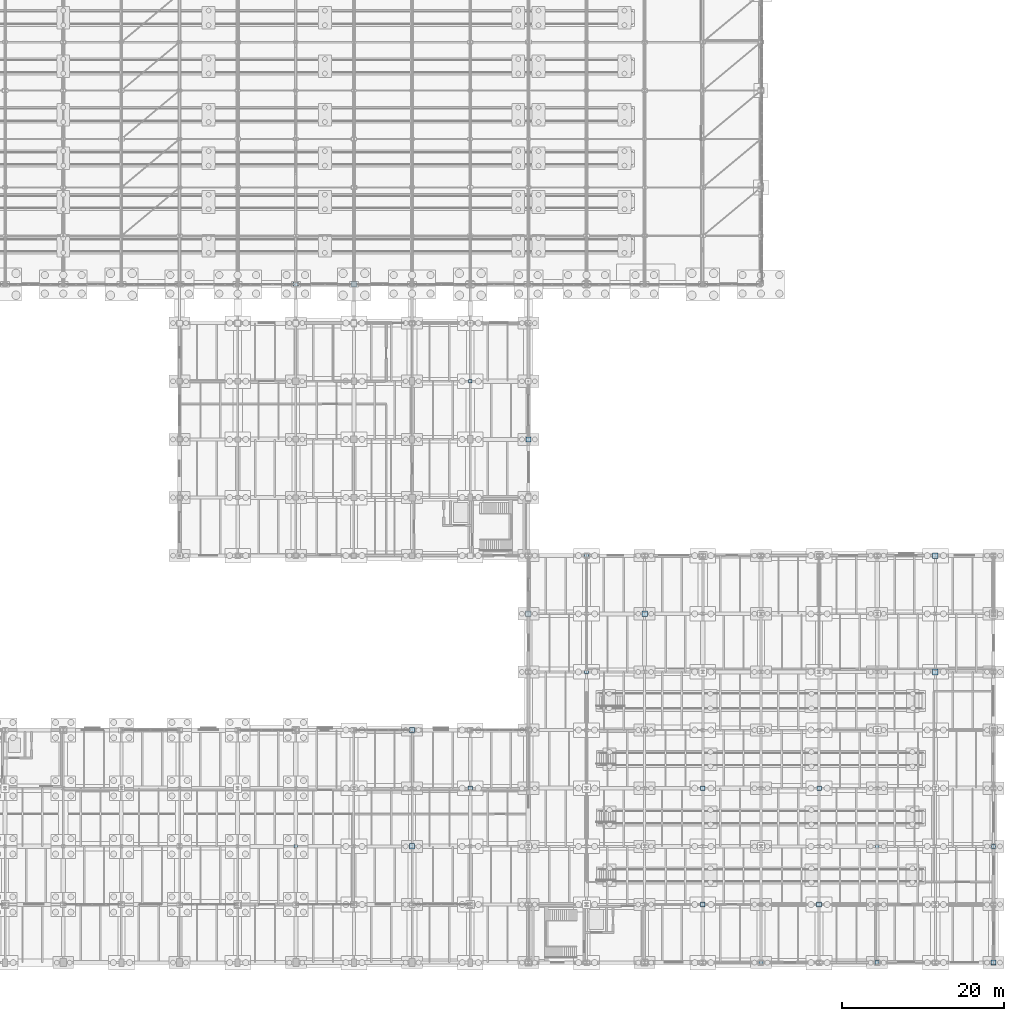
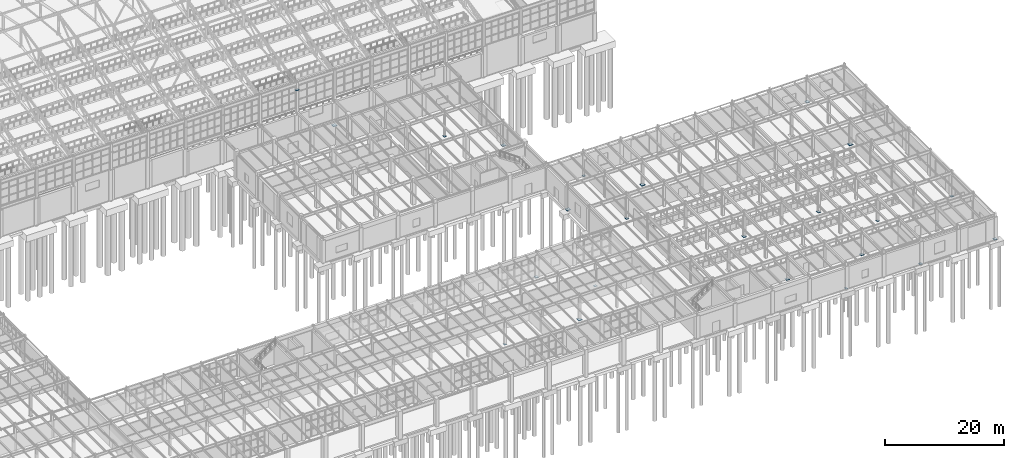
# One storey, part 258 of 293: 23 plates.
"""IFC4 building model written with IfcOpenShell, lengths in metres."""

from ifc_helpers import new_model, si_unit, direction, frame, origin, origin_2d, place, context, subcontext, project, spatial, rectangle, extrude, material, layer, layer_set, type_object, element, save


model = new_model("IFC4")

# Units and contexts
model_context = context("Model", 3, precision=1e-05, world=origin(), true_north=direction((0.0, 1.0)))
body_context = subcontext(model_context, "Body", "Model", "MODEL_VIEW")
ifc_project = project(units=[si_unit("LENGTHUNIT", "METRE"), si_unit("AREAUNIT", "SQUARE_METRE"), si_unit("VOLUMEUNIT", "CUBIC_METRE"), si_unit("PLANEANGLEUNIT", "RADIAN"), si_unit("MASSUNIT", "GRAM", prefix="KILO")], contexts=[model_context])

# Site, building, storey
site_placement = place(None, origin())
site = spatial("IfcSite", under=ifc_project, at=site_placement, CompositionType="ELEMENT")
building_placement = place(site_placement, origin())
building = spatial("IfcBuilding", under=site, at=building_placement, Name="Kemerveld Promenade Tramway Depot", CompositionType="ELEMENT")
storey_placement = place(building_placement, origin())
storey = spatial("IfcBuildingStorey", under=building, at=storey_placement, Name="L00", CompositionType="ELEMENT", Elevation=0.0)

# Plates
ifc_material = material(Name="Steel S355", Category="steel")
ifc_layer_1 = layer(ifc_material, 0.034912109375)
ifc_layer_set_1 = layer_set([ifc_layer_1], Name="PL-BP05")
plate_type_1 = type_object("IfcPlateType", Name="PL-BP05", PredefinedType="USERDEFINED", material=ifc_layer_set_1)
for number, where, z_axis, x_axis, name in (
    (1, (136.800048828125, 84.0, 0.0), (0.0, 0.0, 1.0), (1.0, 0.0, 0.0), "BP-20-N"),
    (2, (158.39990234375, 43.199951171875, 0.0), (0.0, 0.0, 1.0), (1.0, 0.0, 0.0), "BP-23-G"),
    (3, (172.800048828125, 43.199951171875, 0.0), (0.0, 0.0, 1.0), (1.0, 0.0, 0.0), "BP-25-G"),
    (4, (208.800048828125, 36.0, 0.0), (0.0, 0.0, 1.0), (1.0, 0.0, 0.0), "BP-30-F"),
):
    element("IfcPlate", number, at=place(storey_placement, frame(where, z_axis=z_axis, x_axis=x_axis)), inside=storey, type_object=plate_type_1, Name=name, ObjectType="BASE_PLATE", PredefinedType="USERDEFINED", context=body_context, shape_type="SweptSolid", body=[
        extrude(rectangle(XDim=0.699951171875, YDim=0.699951171875, at=origin_2d()), origin(), (0.0, 0.0, 1.0), 0.034912109375),
    ])
ifc_layer_2 = layer(ifc_material, 0.030029296875)
ifc_layer_set_2 = layer_set([ifc_layer_2], Name="PL-BP06")
plate_type_2 = type_object("IfcPlateType", Name="PL-BP06", PredefinedType="USERDEFINED", material=ifc_layer_set_2)
for number, where, z_axis, x_axis, name in (
    (5, (144.0, 14.39990234375, 0.0), (0.0, 0.0, 1.0), (1.0, 0.0, 0.0), "BP-21-C"),
    (6, (158.39990234375, 64.800048828125, 0.0), (0.0, 0.0, 1.0), (1.0, 0.0, 0.0), "BP-23-K"),
    (7, (208.800048828125, 50.39990234375, 0.0), (0.0, 0.0, 1.0), (1.0, 0.0, 0.0), "BP-30-H"),
):
    element("IfcPlate", number, at=place(storey_placement, frame(where, z_axis=z_axis, x_axis=x_axis)), inside=storey, type_object=plate_type_2, Name=name, ObjectType="BASE_PLATE", PredefinedType="USERDEFINED", context=body_context, shape_type="SweptSolid", body=[
        extrude(rectangle(XDim=0.64990234375, YDim=0.64990234375, at=origin_2d()), origin(), (0.0, 0.0, 1.0), 0.030029296875),
    ])
ifc_layer_3 = layer(ifc_material, 0.030029296875)
ifc_layer_set_3 = layer_set([ifc_layer_3], Name="PL-BP07")
plate_type_3 = type_object("IfcPlateType", Name="PL-BP07", PredefinedType="USERDEFINED", material=ifc_layer_set_3)
for number, where, z_axis, x_axis, name in (
    (8, (144.0, 28.800048828125, 0.0), (0.0, 0.0, 1.0), (1.0, 0.0, 0.0), "BP-21-E"),
    (9, (180.0, 7.199951171875, 0.0), (0.0, 0.0, 1.0), (1.0, 0.0, 0.0), "BP-26-B"),
    (10, (194.39990234375, 7.199951171875, 0.0), (0.0, 0.0, 1.0), (1.0, 0.0, 0.0), "BP-28-B"),
    (11, (216.0, 0.0, 0.0), (0.0, 0.0, 1.0), (1.0, 0.0, 0.0), "BP-31-A"),
):
    element("IfcPlate", number, at=place(storey_placement, frame(where, z_axis=z_axis, x_axis=x_axis)), inside=storey, type_object=plate_type_3, Name=name, ObjectType="BASE_PLATE", PredefinedType="USERDEFINED", context=body_context, shape_type="SweptSolid", body=[
        extrude(rectangle(XDim=0.60009765625, YDim=0.60009765625, at=origin_2d()), origin(), (0.0, 0.0, 1.0), 0.030029296875),
    ])
ifc_layer_4 = layer(ifc_material, 0.02490234375)
ifc_layer_set_4 = layer_set([ifc_layer_4], Name="PL-BP08")
plate_type_4 = type_object("IfcPlateType", Name="PL-BP08", PredefinedType="USERDEFINED", material=ifc_layer_set_4)
for number, where, z_axis, x_axis, name in (
    (12, (180.0, 21.60009765625, 0.0), (0.0, 0.0, 1.0), (1.0, 0.0, 0.0), "BP-26-D"),
    (13, (194.39990234375, 21.60009765625, 0.0), (0.0, 0.0, 1.0), (1.0, 0.0, 0.0), "BP-28-D"),
    (14, (216.0, 14.39990234375, 0.0), (0.0, 0.0, 1.0), (1.0, 0.0, 0.0), "BP-31-C"),
):
    element("IfcPlate", number, at=place(storey_placement, frame(where, z_axis=z_axis, x_axis=x_axis)), inside=storey, type_object=plate_type_4, Name=name, ObjectType="BASE_PLATE", PredefinedType="USERDEFINED", context=body_context, shape_type="SweptSolid", body=[
        extrude(rectangle(XDim=0.550048828125, YDim=0.550048828125, at=origin_2d()), origin(), (0.0, 0.0, 1.0), 0.02490234375),
    ])
ifc_layer_5 = layer(ifc_material, 0.02490234375)
ifc_layer_set_5 = layer_set([ifc_layer_5], Name="PL-BP11")
plate_type_5 = type_object("IfcPlateType", Name="PL-BP11", PredefinedType="USERDEFINED", material=ifc_layer_set_5)
for number, where, z_axis, x_axis, name in (
    (15, (151.199951171875, 21.60009765625, 0.0), (0.0, 0.0, 1.0), (1.0, 0.0, 0.0), "BP-22-D"),
    (16, (165.60009765625, 36.0, 0.0), (0.0, 0.0, 1.0), (1.0, 0.0, 0.0), "BP-24-F"),
    (17, (201.60009765625, 0.0, 0.0), (0.0, 0.0, 1.0), (1.0, 0.0, 0.0), "BP-29-A"),
):
    element("IfcPlate", number, at=place(storey_placement, frame(where, z_axis=z_axis, x_axis=x_axis)), inside=storey, type_object=plate_type_5, Name=name, ObjectType="BASE_PLATE", PredefinedType="USERDEFINED", context=body_context, shape_type="SweptSolid", body=[
        extrude(rectangle(XDim=0.5, YDim=0.5, at=origin_2d()), origin(), (0.0, 0.0, 1.0), 0.02490234375),
    ])
ifc_layer_6 = layer(ifc_material, 0.02197265625)
ifc_layer_set_6 = layer_set([ifc_layer_6], Name="PL-BP12")
plate_type_6 = type_object("IfcPlateType", Name="PL-BP12", PredefinedType="USERDEFINED", material=ifc_layer_set_6)
for number, where, z_axis, x_axis, name in (
    (18, (129.60009765625, 14.39990234375, 0.0), (0.0, 0.0, 1.0), (1.0, 0.0, 0.0), "BP-19-C"),
    (19, (151.199951171875, 72.0, 0.0), (0.0, 0.0, 1.0), (1.0, 0.0, 0.0), "BP-22-L"),
    (20, (165.60009765625, 50.39990234375, 0.0), (0.0, 0.0, 1.0), (1.0, 0.0, 0.0), "BP-24-H"),
    (21, (187.199951171875, 0.0, 0.0), (0.0, 0.0, 1.0), (1.0, 0.0, 0.0), "BP-27-A"),
    (22, (201.60009765625, 14.39990234375, 0.0), (0.0, 0.0, 1.0), (1.0, 0.0, 0.0), "BP-29-C"),
):
    element("IfcPlate", number, at=place(storey_placement, frame(where, z_axis=z_axis, x_axis=x_axis)), inside=storey, type_object=plate_type_6, Name=name, ObjectType="BASE_PLATE", PredefinedType="USERDEFINED", context=body_context, shape_type="SweptSolid", body=[
        extrude(rectangle(XDim=0.449951171875, YDim=0.449951171875, at=origin_2d()), origin(), (0.0, 0.0, 1.0), 0.02197265625),
    ])
ifc_layer_7 = layer(ifc_material, 0.02587890625)
ifc_layer_set_7 = layer_set([ifc_layer_7], Name="PL-GS08")
plate_type_7 = type_object("IfcPlateType", Name="PL-GS08", PredefinedType="USERDEFINED", material=ifc_layer_set_7)
plate_placement = place(storey_placement, frame((129.60009765625, 84.0, 9.787109375), z_axis=(0.0, 0.0, 1.0), x_axis=(1.0, 0.0, 0.0)))
element("IfcPlate", 23, at=plate_placement, inside=storey, type_object=plate_type_7, Name="GP-NODE-0311", ObjectType="GUSSET_PLATE", PredefinedType="USERDEFINED", context=body_context, shape_type="SweptSolid", body=[
    extrude(rectangle(XDim=0.679931640625, YDim=0.43994140625, at=origin_2d()), origin(), (0.0, 0.0, 1.0), 0.02587890625),
])

save(model, "model.ifc")
